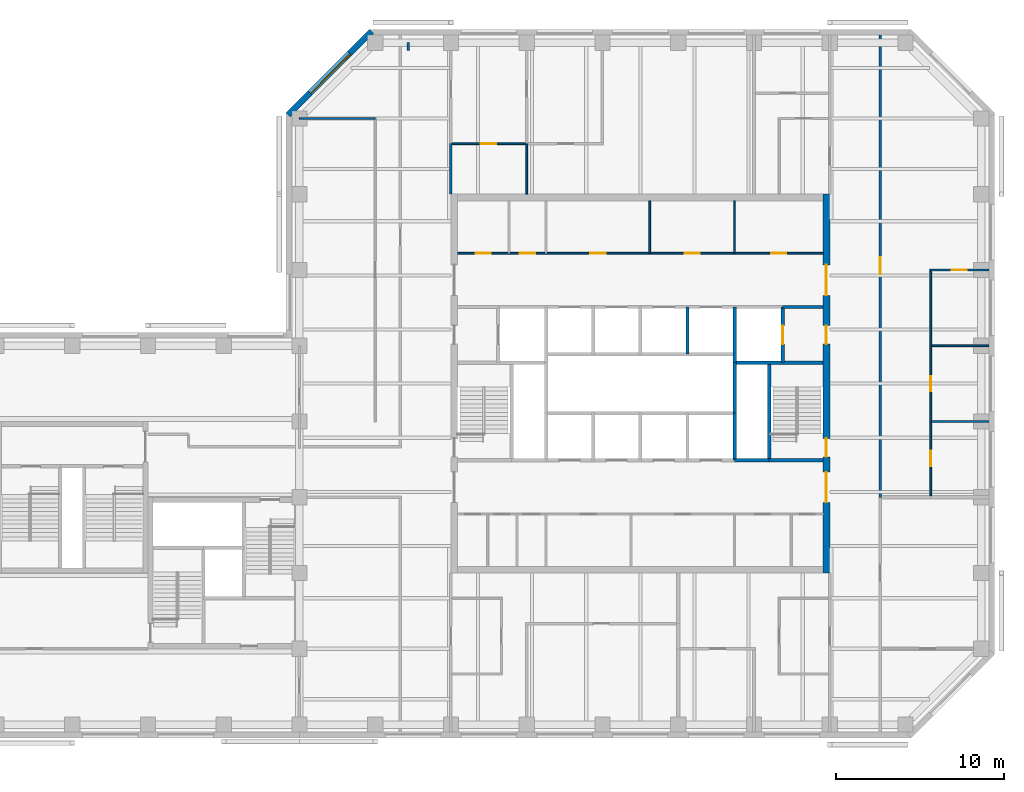
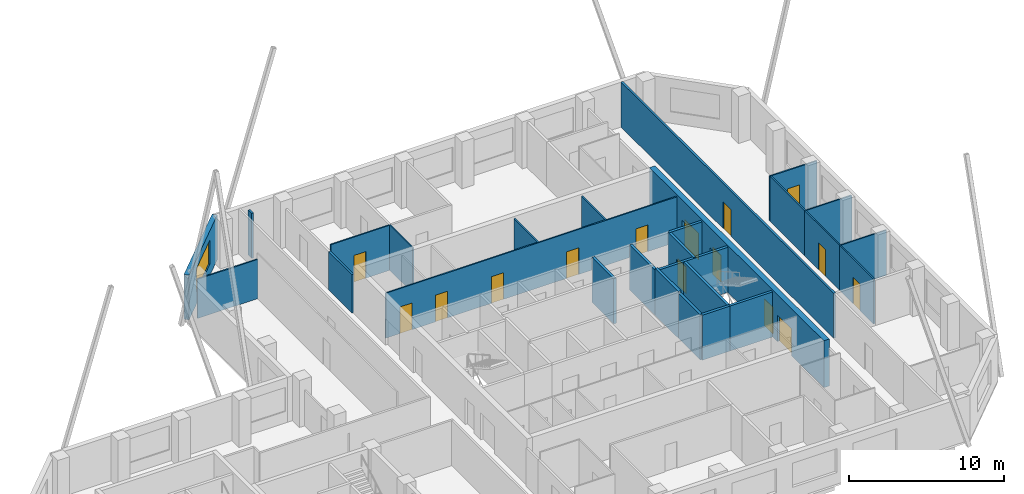
# One storey, part 6 of 9: 27 walls, 15 doors, 1 window, 16 openings.
"""IFC4 building model written with IfcOpenShell, lengths in metres."""

from ifc_helpers import new_model, si_unit, direction, frame, frame_2d, origin, place, context, subcontext, project, spatial, rectangle, extrude, material, layer, layer_set, constituent, constituent_set, type_object, element, fill, save


model = new_model("IFC4")

# Units and contexts
model_context = context("Model", 3, precision=1e-05, world=origin(), true_north=direction((0.0, 1.0)))
body_context = subcontext(model_context, "Body", "Model", "MODEL_VIEW")
ifc_project = project(units=[si_unit("LENGTHUNIT", "METRE"), si_unit("AREAUNIT", "SQUARE_METRE"), si_unit("VOLUMEUNIT", "CUBIC_METRE"), si_unit("PLANEANGLEUNIT", "RADIAN"), si_unit("MASSUNIT", "GRAM", prefix="KILO")], contexts=[model_context])

# Site, building, storey
site_placement = place(None, origin())
site = spatial("IfcSite", under=ifc_project, at=site_placement, CompositionType="ELEMENT")
building_placement = place(site_placement, origin())
building = spatial("IfcBuilding", under=site, at=building_placement, Name="Quoin Convention Tower", CompositionType="ELEMENT")
storey_placement = place(building_placement, frame((0.0, 0.0, 219.300048828125)))
storey = spatial("IfcBuildingStorey", under=building, at=storey_placement, Name="L57", CompositionType="ELEMENT", Elevation=219.300048828125)

# Wall, opening, window
ifc_material_1 = material(Name="Brick masonry", Category="masonry")
ifc_layer_1 = layer(ifc_material_1, 0.35009765625)
ifc_layer_set_1 = layer_set([ifc_layer_1], Name="Brick masonry")
wall_type_1 = type_object("IfcWallType", Name="Brick facade wall", PredefinedType="STANDARD", material=ifc_layer_set_1)
wall_1_placement = place(storey_placement, frame((40.29248046875, 81.67626953125, 0.0), z_axis=(0.0, 0.0, 1.0), x_axis=(-0.707106781187, -0.707106781187, 0.0)))
wall_1 = element("IfcWall", 1, at=wall_1_placement, inside=storey, type_object=wall_type_1, Name="fw-L57-40500_81000", PredefinedType="STANDARD", context=body_context, shape_type="SweptSolid", body=[
    extrude(rectangle(XDim=7.02685546875, YDim=0.35009765625, at=frame_2d((3.513427734375, 0.0))), origin(), (0.0, 0.0, 1.0), 3.52490234375),
])
opening_1_placement = place(wall_1_placement, frame((1.86328125, 0.0, 0.89990234375)))
opening_1 = element("IfcOpeningElement", 2, at=opening_1_placement, cuts=wall_1, Name="Opening W-02", PredefinedType="OPENING", context=body_context, shape_type="SweptSolid", body=[
    extrude(rectangle(XDim=3.300048828125, YDim=1.89990234375, at=frame_2d((1.64990234375, 0.949951171875))), frame((0.0, 0.18505859375, 0.0), z_axis=(0.0, -1.0, 0.0), x_axis=(1.0, 0.0, 0.0)), (0.0, 0.0, 1.0), 0.3701171875),
])
ifc_material_2 = material(Name="Aluminium", Category="aluminium")
ifc_constituent_1 = constituent(ifc_material_2, Name="Frame")
ifc_material_3 = material(Name="Insulated glass", Category="glass")
ifc_constituent_2 = constituent(ifc_material_3, Name="Glazing")
ifc_constituent_set = constituent_set(constituents=[ifc_constituent_1, ifc_constituent_2], Name="Aluminium")
window_type = type_object("IfcWindowType", Name="Office window", PartitioningType="DOUBLE_PANEL_VERTICAL", PredefinedType="WINDOW", material=ifc_constituent_set)
window_placement = place(opening_1_placement, origin())
window = element("IfcWindow", 3, at=window_placement, inside=storey, type_object=window_type, Name="win-L57-37808_79192", OverallHeight=1.89990234375, OverallWidth=3.300048828125, PartitioningType="SINGLE_PANEL", PredefinedType="WINDOW", context=body_context, shape_type="SweptSolid", body=[
    extrude(rectangle(XDim=3.300048828125, YDim=1.89990234375, at=frame_2d((1.64990234375, 0.949951171875))), frame((0.0, 0.0849609375, 0.0), z_axis=(0.0, -1.0, 0.0), x_axis=(1.0, 0.0, 0.0)), (0.0, 0.0, 1.0), 0.06005859375),
])
fill(opening_1, window)

# Wall, openings, doors
ifc_material_4 = material(Name="Plasterboard")
ifc_layer_2 = layer(ifc_material_4, 0.012451171875, Name="Finish")
ifc_material_5 = material(Name="Steel stud framing", Category="steel")
ifc_layer_3 = layer(ifc_material_5, 0.074951171875, Name="Structure")
ifc_layer_4 = layer(ifc_material_4, 0.012451171875, Name="Finish")
ifc_layer_set_2 = layer_set([ifc_layer_2, ifc_layer_3, ifc_layer_4], Name="Steel stud framing")
wall_type_2 = type_object("IfcWallType", Name="Core partition wall", PredefinedType="PARTITIONING", material=ifc_layer_set_2)
wall_2_placement = place(storey_placement, frame((45.39990234375, 68.5, 0.0), z_axis=(0.0, 0.0, 1.0), x_axis=(1.0, 0.0, 0.0)))
wall_2 = element("IfcWall", 4, at=wall_2_placement, inside=storey, type_object=wall_type_2, Name="cr-C1-L57-h19000_400", PredefinedType="PARTITIONING", context=body_context, shape_type="SweptSolid", body=[
    extrude(rectangle(XDim=21.7001953125, YDim=0.10009765625, at=frame_2d((10.85009765625, 0.0))), origin(), (0.0, 0.0, 1.0), 3.550048828125),
])
opening_2_placement = place(wall_2_placement, frame((18.625, 0.0, 0.0)))
opening_2 = element("IfcOpeningElement", 5, at=opening_2_placement, cuts=wall_2, Name="Opening DCV1-12", PredefinedType="OPENING", context=body_context, shape_type="SweptSolid", body=[
    extrude(rectangle(XDim=0.89990234375, YDim=2.10009765625, at=frame_2d((0.449951171875, 1.050048828125))), frame((0.0, 0.06005859375, 0.0), z_axis=(0.0, -1.0, 0.0), x_axis=(1.0, 0.0, 0.0)), (0.0, 0.0, 1.0), 0.1201171875),
])
opening_3_placement = place(wall_2_placement, frame((1.072509765625, 0.0, 0.0)))
opening_3 = element("IfcOpeningElement", 6, at=opening_3_placement, cuts=wall_2, Name="Opening DCV1-05", PredefinedType="OPENING", context=body_context, shape_type="SweptSolid", body=[
    extrude(rectangle(XDim=0.89990234375, YDim=2.10009765625, at=frame_2d((0.449951171875, 1.050048828125))), frame((0.0, 0.06005859375, 0.0), z_axis=(0.0, -1.0, 0.0), x_axis=(1.0, 0.0, 0.0)), (0.0, 0.0, 1.0), 0.1201171875),
])
opening_4_placement = place(wall_2_placement, frame((3.697509765625, 0.0, 0.0)))
opening_4 = element("IfcOpeningElement", 7, at=opening_4_placement, cuts=wall_2, Name="Opening DCV1-06", PredefinedType="OPENING", context=body_context, shape_type="SweptSolid", body=[
    extrude(rectangle(XDim=0.89990234375, YDim=2.10009765625, at=frame_2d((0.449951171875, 1.050048828125))), frame((0.0, 0.06005859375, 0.0), z_axis=(0.0, -1.0, 0.0), x_axis=(1.0, 0.0, 0.0)), (0.0, 0.0, 1.0), 0.1201171875),
])
opening_5_placement = place(wall_2_placement, frame((13.47998046875, 0.0, 0.0)))
opening_5 = element("IfcOpeningElement", 8, at=opening_5_placement, cuts=wall_2, Name="Opening DCV1-10", PredefinedType="OPENING", context=body_context, shape_type="SweptSolid", body=[
    extrude(rectangle(XDim=0.89990234375, YDim=2.10009765625, at=frame_2d((0.449951171875, 1.050048828125))), frame((0.0, 0.06005859375, 0.0), z_axis=(0.0, -1.0, 0.0), x_axis=(1.0, 0.0, 0.0)), (0.0, 0.0, 1.0), 0.1201171875),
])
opening_6_placement = place(wall_2_placement, frame((7.8798828125, 0.0, 0.0)))
opening_6 = element("IfcOpeningElement", 9, at=opening_6_placement, cuts=wall_2, Name="Opening DCV1-08", PredefinedType="OPENING", context=body_context, shape_type="SweptSolid", body=[
    extrude(rectangle(XDim=0.89990234375, YDim=2.10009765625, at=frame_2d((0.449951171875, 1.050048828125))), frame((0.0, 0.06005859375, 0.0), z_axis=(0.0, -1.0, 0.0), x_axis=(1.0, 0.0, 0.0)), (0.0, 0.0, 1.0), 0.1201171875),
])
ifc_material_6 = material(Name="Steel door leaf", Category="steel")
door_type_1 = type_object("IfcDoorType", Name="Core room door 900 x 2100", OperationType="SINGLE_SWING_LEFT", PredefinedType="DOOR", material=ifc_material_6)
door_1_placement = place(opening_2_placement, origin())
door_1 = element("IfcDoor", 10, at=door_1_placement, inside=storey, type_object=door_type_1, Name="cd-C1-L57-CNE0-lobB-CD5707", OperationType="SINGLE_SWING_LEFT", OverallHeight=2.10009765625, OverallWidth=0.89990234375, PredefinedType="DOOR", context=body_context, shape_type="SweptSolid", body=[
    extrude(rectangle(XDim=0.89990234375, YDim=2.10009765625, at=frame_2d((0.449951171875, 1.050048828125))), frame((0.0, 0.02490234375, 0.0), z_axis=(0.0, -1.0, 0.0), x_axis=(1.0, 0.0, 0.0)), (0.0, 0.0, 1.0), 0.050048828125),
])
fill(opening_2, door_1)
door_2_placement = place(opening_3_placement, origin())
door_2 = element("IfcDoor", 11, at=door_2_placement, inside=storey, type_object=door_type_1, Name="cd-C1-L57-CNW0-lobB-CD5708", OperationType="SINGLE_SWING_RIGHT", OverallHeight=2.10009765625, OverallWidth=0.89990234375, PredefinedType="DOOR", context=body_context, shape_type="SweptSolid", body=[
    extrude(rectangle(XDim=0.89990234375, YDim=2.10009765625, at=frame_2d((0.449951171875, 1.050048828125))), frame((0.0, 0.02490234375, 0.0), z_axis=(0.0, -1.0, 0.0), x_axis=(1.0, 0.0, 0.0)), (0.0, 0.0, 1.0), 0.050048828125),
])
fill(opening_3, door_2)
door_3_placement = place(opening_4_placement, origin())
door_3 = element("IfcDoor", 12, at=door_3_placement, inside=storey, type_object=door_type_1, Name="cd-C1-L57-CNW1-lobB-CD5709", OperationType="SINGLE_SWING_RIGHT", OverallHeight=2.10009765625, OverallWidth=0.89990234375, PredefinedType="DOOR", context=body_context, shape_type="SweptSolid", body=[
    extrude(rectangle(XDim=0.89990234375, YDim=2.10009765625, at=frame_2d((0.449951171875, 1.050048828125))), frame((0.0, 0.02490234375, 0.0), z_axis=(0.0, -1.0, 0.0), x_axis=(1.0, 0.0, 0.0)), (0.0, 0.0, 1.0), 0.050048828125),
])
fill(opening_4, door_3)
door_4_placement = place(opening_5_placement, origin())
door_4 = element("IfcDoor", 13, at=door_4_placement, inside=storey, type_object=door_type_1, Name="cd-C1-L57-F40-lobB-CD5717", OperationType="SINGLE_SWING_RIGHT", OverallHeight=2.10009765625, OverallWidth=0.89990234375, PredefinedType="DOOR", context=body_context, shape_type="SweptSolid", body=[
    extrude(rectangle(XDim=0.89990234375, YDim=2.10009765625, at=frame_2d((0.449951171875, 1.050048828125))), frame((0.0, 0.02490234375, 0.0), z_axis=(0.0, -1.0, 0.0), x_axis=(1.0, 0.0, 0.0)), (0.0, 0.0, 1.0), 0.050048828125),
])
fill(opening_5, door_4)
door_5_placement = place(opening_6_placement, origin())
door_5 = element("IfcDoor", 14, at=door_5_placement, inside=storey, type_object=door_type_1, Name="cd-C1-L57-F41-lobB-CD5718", OperationType="SINGLE_SWING_RIGHT", OverallHeight=2.10009765625, OverallWidth=0.89990234375, PredefinedType="DOOR", context=body_context, shape_type="SweptSolid", body=[
    extrude(rectangle(XDim=0.89990234375, YDim=2.10009765625, at=frame_2d((0.449951171875, 1.050048828125))), frame((0.0, 0.02490234375, 0.0), z_axis=(0.0, -1.0, 0.0), x_axis=(1.0, 0.0, 0.0)), (0.0, 0.0, 1.0), 0.050048828125),
])
fill(opening_6, door_5)

# Walls
for number, where, z_axis, x_axis, name in (
    (15, (56.81005859375, 68.5, 0.0), (0.0, 0.0, 1.0), (0.0, 1.0, 0.0), "cr-C1-L57-v11810_19000"),
    (16, (61.85009765625, 68.5, 0.0), (0.0, 0.0, 1.0), (0.0, 1.0, 0.0), "cr-C1-L57-v16850_19000"),
):
    element("IfcWall", number, at=place(storey_placement, frame(where, z_axis=z_axis, x_axis=x_axis)), inside=storey, type_object=wall_type_2, Name=name, PredefinedType="PARTITIONING", context=body_context, shape_type="SweptSolid", body=[
        extrude(rectangle(XDim=3.10009765625, YDim=0.10009765625, at=frame_2d((1.550048828125, 0.0))), origin(), (0.0, 0.0, 1.0), 3.550048828125),
    ])
ifc_material_7 = material(Name="Concrete C50", Category="concrete")
ifc_layer_5 = layer(ifc_material_7, 0.199951171875)
ifc_layer_set_3 = layer_set([ifc_layer_5], Name="Concrete C50")
wall_type_3 = type_object("IfcWallType", Name="Core shaft wall", PredefinedType="SOLIDWALL", material=ifc_layer_set_3)
wall_3_placement = place(storey_placement, frame((61.85009765625, 56.199951171875, 0.0), z_axis=(0.0, 0.0, 1.0), x_axis=(1.0, 0.0, 0.0)))
element("IfcWall", 17, at=wall_3_placement, inside=storey, type_object=wall_type_3, Name="cr-C1-L57-h6700_16850", PredefinedType="SOLIDWALL", context=body_context, shape_type="SweptSolid", body=[
    extrude(rectangle(XDim=2.0498046875, YDim=0.199951171875, at=frame_2d((1.02490234375, 0.0))), origin(), (0.0, 0.0, 1.0), 3.550048828125),
])
wall_4_placement = place(storey_placement, frame((63.89990234375, 56.199951171875, 0.0), z_axis=(0.0, 0.0, 1.0), x_axis=(1.0, 0.0, 0.0)))
element("IfcWall", 18, at=wall_4_placement, inside=storey, type_object=wall_type_3, Name="cr-C1-L57-h6700_18900", PredefinedType="SOLIDWALL", context=body_context, shape_type="SweptSolid", body=[
    extrude(rectangle(XDim=3.2001953125, YDim=0.199951171875, at=frame_2d((1.60009765625, 0.0))), origin(), (0.0, 0.0, 1.0), 3.550048828125),
])
wall_5_placement = place(storey_placement, frame((61.85009765625, 62.0, 0.0), z_axis=(0.0, 0.0, 1.0), x_axis=(1.0, 0.0, 0.0)))
element("IfcWall", 19, at=wall_5_placement, inside=storey, type_object=wall_type_3, Name="cr-C1-L57-h12500_16850", PredefinedType="SOLIDWALL", context=body_context, shape_type="SweptSolid", body=[
    extrude(rectangle(XDim=5.25, YDim=0.199951171875, at=frame_2d((2.625, 0.0))), origin(), (0.0, 0.0, 1.0), 3.550048828125),
])
wall_6_placement = place(storey_placement, frame((64.699951171875, 65.300048828125, 0.0), z_axis=(0.0, 0.0, 1.0), x_axis=(1.0, 0.0, 0.0)))
element("IfcWall", 20, at=wall_6_placement, inside=storey, type_object=wall_type_3, Name="cr-C1-L57-h15800_19700", PredefinedType="SOLIDWALL", context=body_context, shape_type="SweptSolid", body=[
    extrude(rectangle(XDim=2.400146484375, YDim=0.199951171875, at=frame_2d((1.2001953125, 0.0))), origin(), (0.0, 0.0, 1.0), 3.550048828125),
])
for number, where, z_axis, x_axis, name in (
    (21, (59.050048828125, 62.5, 0.0), (0.0, 0.0, 1.0), (0.0, 1.0, 0.0), "cr-C1-L57-v14050_13000"),
    (22, (61.85009765625, 56.199951171875, 0.0), (0.0, 0.0, 1.0), (0.0, 1.0, 0.0), "cr-C1-L57-v16850_6700"),
):
    element("IfcWall", number, at=place(storey_placement, frame(where, z_axis=z_axis, x_axis=x_axis)), inside=storey, type_object=wall_type_3, Name=name, PredefinedType="SOLIDWALL", context=body_context, shape_type="SweptSolid", body=[
        extrude(rectangle(XDim=2.800048828125, YDim=0.199951171875, at=frame_2d((1.39990234375, 0.0))), origin(), (0.0, 0.0, 1.0), 3.550048828125),
    ])
wall_7_placement = place(storey_placement, frame((61.85009765625, 62.0, 0.0), z_axis=(0.0, 0.0, 1.0), x_axis=(0.0, 1.0, 0.0)))
element("IfcWall", 23, at=wall_7_placement, inside=storey, type_object=wall_type_3, Name="cr-C1-L57-v16850_12500", PredefinedType="SOLIDWALL", context=body_context, shape_type="SweptSolid", body=[
    extrude(rectangle(XDim=3.300048828125, YDim=0.199951171875, at=frame_2d((1.64990234375, 0.0))), origin(), (0.0, 0.0, 1.0), 3.550048828125),
])
wall_8_placement = place(storey_placement, frame((63.89990234375, 56.199951171875, 0.0), z_axis=(0.0, 0.0, 1.0), x_axis=(0.0, 1.0, 0.0)))
element("IfcWall", 24, at=wall_8_placement, inside=storey, type_object=wall_type_3, Name="cr-C1-L57-v18900_6700", PredefinedType="SOLIDWALL", context=body_context, shape_type="SweptSolid", body=[
    extrude(rectangle(XDim=5.800048828125, YDim=0.199951171875, at=frame_2d((2.89990234375, 0.0))), origin(), (0.0, 0.0, 1.0), 3.550048828125),
])

# Wall, opening, door
wall_9_placement = place(storey_placement, frame((64.699951171875, 62.0, 0.0), z_axis=(0.0, 0.0, 1.0), x_axis=(0.0, 1.0, 0.0)))
wall_9 = element("IfcWall", 25, at=wall_9_placement, inside=storey, type_object=wall_type_3, Name="cr-C1-L57-v19700_12500", PredefinedType="SOLIDWALL", context=body_context, shape_type="SweptSolid", body=[
    extrude(rectangle(XDim=3.300048828125, YDim=0.199951171875, at=frame_2d((1.64990234375, 0.0))), origin(), (0.0, 0.0, 1.0), 3.550048828125),
])
opening_7_placement = place(wall_9_placement, frame((1.10009765625, 0.0, 0.0)))
opening_7 = element("IfcOpeningElement", 26, at=opening_7_placement, cuts=wall_9, Name="Opening LDFL2", PredefinedType="OPENING", context=body_context, shape_type="SweptSolid", body=[
    extrude(rectangle(XDim=1.10009765625, YDim=2.10009765625, at=frame_2d((0.550048828125, 1.050048828125))), frame((0.0, 0.10986328125, 0.0), z_axis=(0.0, -1.0, 0.0), x_axis=(1.0, 0.0, 0.0)), (0.0, 0.0, 1.0), 0.219970703125),
])
door_type_2 = type_object("IfcDoorType", Name="Lift landing door 1100 x 2100", OperationType="DOUBLE_DOOR_SLIDING", PredefinedType="DOOR", material=ifc_material_6)
door_6_placement = place(opening_7_placement, origin())
door_6 = element("IfcDoor", 27, at=door_6_placement, inside=storey, type_object=door_type_2, Name="cd-C1-L57-FLE-FFE-LDFL2", OperationType="DOUBLE_DOOR_SLIDING", OverallHeight=2.10009765625, OverallWidth=1.10009765625, PredefinedType="DOOR", context=body_context, shape_type="SweptSolid", body=[
    extrude(rectangle(XDim=1.10009765625, YDim=2.10009765625, at=frame_2d((0.550048828125, 1.050048828125))), frame((0.0, 0.02490234375, 0.0), z_axis=(0.0, -1.0, 0.0), x_axis=(1.0, 0.0, 0.0)), (0.0, 0.0, 1.0), 0.050048828125),
])
fill(opening_7, door_6)

# Wall
ifc_layer_6 = layer(ifc_material_7, 0.199951171875)
ifc_layer_set_4 = layer_set([ifc_layer_6], Name="Concrete C50")
wall_type_4 = type_object("IfcWallType", Name="Core shaft wall to the floor level over", PredefinedType="SOLIDWALL", material=ifc_layer_set_4)
wall_10_placement = place(storey_placement, frame((61.85009765625, 59.0, 0.0), z_axis=(0.0, 0.0, 1.0), x_axis=(0.0, 1.0, 0.0)))
element("IfcWall", 28, at=wall_10_placement, inside=storey, type_object=wall_type_4, Name="cr-C1-L57-v16850_9500", PredefinedType="SOLIDWALL", context=body_context, shape_type="SweptSolid", body=[
    extrude(rectangle(XDim=3.0, YDim=0.199951171875, at=frame_2d((1.5, 0.0))), origin(), (0.0, 0.0, 1.0), 3.699951171875),
])

# Wall, opening, door
ifc_layer_7 = layer(ifc_material_4, 0.012451171875, Name="Finish")
ifc_layer_8 = layer(ifc_material_5, 0.125, Name="Structure")
ifc_layer_9 = layer(ifc_material_4, 0.012451171875, Name="Finish")
ifc_layer_set_5 = layer_set([ifc_layer_7, ifc_layer_8, ifc_layer_9], Name="Steel stud framing")
wall_type_5 = type_object("IfcWallType", Name="Corridor wall 150", PredefinedType="PARTITIONING", material=ifc_layer_set_5)
wall_11_placement = place(storey_placement, frame((70.5, 54.0, 0.0), z_axis=(0.0, 0.0, 1.0), x_axis=(0.0, 1.0, 0.0)))
wall_11 = element("IfcWall", 29, at=wall_11_placement, inside=storey, type_object=wall_type_5, Name="pw-L57-048", PredefinedType="PARTITIONING", context=body_context, shape_type="SweptSolid", body=[
    extrude(rectangle(XDim=27.449951171875, YDim=0.14990234375, at=frame_2d((13.72509765625, 0.0))), origin(), (0.0, 0.0, 1.0), 3.550048828125),
])
opening_8_placement = place(wall_11_placement, frame((13.25, 0.0, 0.0)))
opening_8 = element("IfcOpeningElement", 30, at=opening_8_placement, cuts=wall_11, Name="Opening DOH9-15", PredefinedType="OPENING", context=body_context, shape_type="SweptSolid", body=[
    extrude(rectangle(XDim=1.0, YDim=2.10009765625, at=frame_2d((0.5, 1.050048828125))), frame((0.0, 0.0849609375, 0.0), z_axis=(0.0, -1.0, 0.0), x_axis=(1.0, 0.0, 0.0)), (0.0, 0.0, 1.0), 0.169921875),
])
door_type_3 = type_object("IfcDoorType", Name="Tenancy entrance door 1000 x 2100", OperationType="DOUBLE_DOOR_SINGLE_SWING", PredefinedType="DOOR", material=ifc_material_6)
door_7_placement = place(opening_8_placement, frame((1.0, 0.0, 0.0), z_axis=(0.0, 0.0, 1.0), x_axis=(-1.0, 0.0, 0.0)))
door_7 = element("IfcDoor", 31, at=door_7_placement, inside=storey, type_object=door_type_3, Name="dr-L57-22", OperationType="DOUBLE_DOOR_SINGLE_SWING", OverallHeight=2.10009765625, OverallWidth=1.0, PredefinedType="DOOR", context=body_context, shape_type="SweptSolid", body=[
    extrude(rectangle(XDim=1.0, YDim=2.10009765625, at=frame_2d((0.5, 1.050048828125))), frame((0.0, 0.02490234375, 0.0), z_axis=(0.0, -1.0, 0.0), x_axis=(1.0, 0.0, 0.0)), (0.0, 0.0, 1.0), 0.050048828125),
])
fill(opening_8, door_7)

# Walls
wall_12_placement = place(storey_placement, frame((42.469970703125, 80.550048828125, 0.0), z_axis=(0.0, 0.0, 1.0), x_axis=(0.0, 1.0, 0.0)))
element("IfcWall", 32, at=wall_12_placement, inside=storey, type_object=wall_type_5, Name="pw-L57-w06", PredefinedType="PARTITIONING", context=body_context, shape_type="SweptSolid", body=[
    extrude(rectangle(XDim=0.449951171875, YDim=0.14990234375, at=frame_2d((0.22509765625, 0.0))), origin(), (0.0, 0.0, 1.0), 3.550048828125),
])
ifc_layer_10 = layer(ifc_material_4, 0.012451171875, Name="Finish")
ifc_layer_11 = layer(ifc_material_5, 0.125, Name="Structure")
ifc_layer_12 = layer(ifc_material_4, 0.012451171875, Name="Finish")
ifc_layer_set_6 = layer_set([ifc_layer_10, ifc_layer_11, ifc_layer_12], Name="Steel stud framing")
wall_type_6 = type_object("IfcWallType", Name="Corridor wall 150 under beam 528", PredefinedType="PARTITIONING", material=ifc_layer_set_6)
wall_13_placement = place(storey_placement, frame((45.0, 72.0, 0.0), z_axis=(0.0, 0.0, 1.0), x_axis=(0.0, 1.0, 0.0)))
element("IfcWall", 33, at=wall_13_placement, inside=storey, type_object=wall_type_6, Name="pw-L57-055", PredefinedType="PARTITIONING", context=body_context, shape_type="SweptSolid", body=[
    extrude(rectangle(XDim=3.0, YDim=0.14990234375, at=frame_2d((1.5, 0.0))), origin(), (0.0, 0.0, 1.0), 3.02197265625),
])

# Wall, openings, doors
ifc_layer_13 = layer(ifc_material_7, 0.39990234375)
ifc_layer_set_7 = layer_set([ifc_layer_13], Name="Concrete C50")
wall_type_7 = type_object("IfcWallType", Name="RC CORE WALL 400 C50", PredefinedType="SHEAR", material=ifc_layer_set_7)
wall_14_placement = place(storey_placement, frame((67.300048828125, 49.5, 0.0), z_axis=(0.0, 0.0, 1.0), x_axis=(0.0, 1.0, 0.0)))
wall_14 = element("IfcWall", 34, at=wall_14_placement, inside=storey, type_object=wall_type_7, Name="cwl-C1-L57-E", PredefinedType="SHEAR", context=body_context, shape_type="SweptSolid", body=[
    extrude(rectangle(XDim=22.5, YDim=0.39990234375, at=frame_2d((11.25, 0.0))), origin(), (0.0, 0.0, 1.0), 3.699951171875),
])
opening_9_placement = place(wall_14_placement, frame((4.199951171875, 0.0, 0.0)))
opening_9 = element("IfcOpeningElement", 35, at=opening_9_placement, cuts=wall_14, Name="Opening DCV1-47", PredefinedType="OPENING", context=body_context, shape_type="SweptSolid", body=[
    extrude(rectangle(XDim=1.800048828125, YDim=2.10009765625, at=frame_2d((0.89990234375, 1.050048828125))), frame((0.0, 0.2099609375, 0.0), z_axis=(0.0, -1.0, 0.0), x_axis=(1.0, 0.0, 0.0)), (0.0, 0.0, 1.0), 0.419921875),
])
opening_10_placement = place(wall_14_placement, frame((6.89990234375, 0.0, 0.0)))
opening_10 = element("IfcOpeningElement", 36, at=opening_10_placement, cuts=wall_14, Name="Opening SD2", PredefinedType="OPENING", context=body_context, shape_type="SweptSolid", body=[
    extrude(rectangle(XDim=1.10009765625, YDim=2.10009765625, at=frame_2d((0.550048828125, 1.050048828125))), frame((0.0, 0.2099609375, 0.0), z_axis=(0.0, -1.0, 0.0), x_axis=(1.0, 0.0, 0.0)), (0.0, 0.0, 1.0), 0.419921875),
])
opening_11_placement = place(wall_14_placement, frame((13.60009765625, 0.0, 0.0)))
opening_11 = element("IfcOpeningElement", 37, at=opening_11_placement, cuts=wall_14, Name="Opening DCV1-46", PredefinedType="OPENING", context=body_context, shape_type="SweptSolid", body=[
    extrude(rectangle(XDim=1.10009765625, YDim=2.10009765625, at=frame_2d((0.550048828125, 1.050048828125))), frame((0.0, 0.2099609375, 0.0), z_axis=(0.0, -1.0, 0.0), x_axis=(1.0, 0.0, 0.0)), (0.0, 0.0, 1.0), 0.419921875),
])
opening_12_placement = place(wall_14_placement, frame((16.5, 0.0, 0.0)))
opening_12 = element("IfcOpeningElement", 38, at=opening_12_placement, cuts=wall_14, Name="Opening DCV1-47", PredefinedType="OPENING", context=body_context, shape_type="SweptSolid", body=[
    extrude(rectangle(XDim=1.800048828125, YDim=2.10009765625, at=frame_2d((0.89990234375, 1.050048828125))), frame((0.0, 0.2099609375, 0.0), z_axis=(0.0, -1.0, 0.0), x_axis=(1.0, 0.0, 0.0)), (0.0, 0.0, 1.0), 0.419921875),
])
door_type_4 = type_object("IfcDoorType", Name="Fire-fighting lobby door 1100 x 2100", OperationType="SINGLE_SWING_LEFT", PredefinedType="DOOR", material=ifc_material_6)
door_8_placement = place(opening_11_placement, origin())
door_8 = element("IfcDoor", 39, at=door_8_placement, inside=storey, type_object=door_type_4, Name="cd-C1-L57-FFE-E", OperationType="SINGLE_SWING_RIGHT", OverallHeight=2.10009765625, OverallWidth=1.10009765625, PredefinedType="DOOR", context=body_context, shape_type="SweptSolid", body=[
    extrude(rectangle(XDim=1.10009765625, YDim=2.10009765625, at=frame_2d((0.550048828125, 1.050048828125))), frame((0.0, 0.02490234375, 0.0), z_axis=(0.0, -1.0, 0.0), x_axis=(1.0, 0.0, 0.0)), (0.0, 0.0, 1.0), 0.050048828125),
])
fill(opening_11, door_8)
door_type_5 = type_object("IfcDoorType", Name="Lift lobby door 1800 x 2100", OperationType="SINGLE_SWING_LEFT", PredefinedType="DOOR", material=ifc_material_6)
door_9_placement = place(opening_9_placement, origin())
door_9 = element("IfcDoor", 40, at=door_9_placement, inside=storey, type_object=door_type_5, Name="cd-C1-L57-lobA-E", OperationType="SINGLE_SWING_RIGHT", OverallHeight=2.10009765625, OverallWidth=1.800048828125, PredefinedType="DOOR", context=body_context, shape_type="SweptSolid", body=[
    extrude(rectangle(XDim=1.800048828125, YDim=2.10009765625, at=frame_2d((0.89990234375, 1.050048828125))), frame((0.0, 0.02490234375, 0.0), z_axis=(0.0, -1.0, 0.0), x_axis=(1.0, 0.0, 0.0)), (0.0, 0.0, 1.0), 0.050048828125),
])
fill(opening_9, door_9)
door_10_placement = place(opening_12_placement, origin())
door_10 = element("IfcDoor", 41, at=door_10_placement, inside=storey, type_object=door_type_5, Name="cd-C1-L57-lobB-E", OperationType="SINGLE_SWING_RIGHT", OverallHeight=2.10009765625, OverallWidth=1.800048828125, PredefinedType="DOOR", context=body_context, shape_type="SweptSolid", body=[
    extrude(rectangle(XDim=1.800048828125, YDim=2.10009765625, at=frame_2d((0.89990234375, 1.050048828125))), frame((0.0, 0.02490234375, 0.0), z_axis=(0.0, -1.0, 0.0), x_axis=(1.0, 0.0, 0.0)), (0.0, 0.0, 1.0), 0.050048828125),
])
fill(opening_12, door_10)
door_type_6 = type_object("IfcDoorType", Name="Stair door 1100 x 2100", OperationType="SINGLE_SWING_RIGHT", PredefinedType="DOOR", material=ifc_material_6)
door_11_placement = place(opening_10_placement, origin())
door_11 = element("IfcDoor", 42, at=door_11_placement, inside=storey, type_object=door_type_6, Name="cd-C1-L57-STE-E", OperationType="SINGLE_SWING_LEFT", OverallHeight=2.10009765625, OverallWidth=1.10009765625, PredefinedType="DOOR", context=body_context, shape_type="SweptSolid", body=[
    extrude(rectangle(XDim=1.10009765625, YDim=2.10009765625, at=frame_2d((0.550048828125, 1.050048828125))), frame((0.0, 0.02490234375, 0.0), z_axis=(0.0, -1.0, 0.0), x_axis=(1.0, 0.0, 0.0)), (0.0, 0.0, 1.0), 0.050048828125),
])
fill(opening_10, door_11)

# Walls
ifc_layer_14 = layer(ifc_material_4, 0.012451171875, Name="Finish")
ifc_layer_15 = layer(ifc_material_5, 0.074951171875, Name="Structure")
ifc_layer_16 = layer(ifc_material_4, 0.012451171875, Name="Finish")
ifc_layer_set_8 = layer_set([ifc_layer_14, ifc_layer_15, ifc_layer_16], Name="Steel stud framing")
wall_type_8 = type_object("IfcWallType", Name="Stud partition 100", PredefinedType="PARTITIONING", material=ifc_layer_set_8)
for number, where, z_axis, x_axis, name in (
    (43, (73.550048828125, 58.5, 0.0), (0.0, 0.0, 1.0), (1.0, 0.0, 0.0), "pw-L57-017"),
    (44, (73.550048828125, 63.0, 0.0), (0.0, 0.0, 1.0), (1.0, 0.0, 0.0), "pw-L57-019"),
):
    element("IfcWall", number, at=place(storey_placement, frame(where, z_axis=z_axis, x_axis=x_axis)), inside=storey, type_object=wall_type_8, Name=name, PredefinedType="PARTITIONING", context=body_context, shape_type="SweptSolid", body=[
        extrude(rectangle(XDim=3.39990234375, YDim=0.10009765625, at=frame_2d((1.699951171875, 0.0))), origin(), (0.0, 0.0, 1.0), 3.550048828125),
    ])

# Wall, opening, door
wall_15_placement = place(storey_placement, frame((73.449951171875, 67.5, 0.0), z_axis=(0.0, 0.0, 1.0), x_axis=(1.0, 0.0, 0.0)))
wall_15 = element("IfcWall", 45, at=wall_15_placement, inside=storey, type_object=wall_type_8, Name="pw-L57-020", PredefinedType="PARTITIONING", context=body_context, shape_type="SweptSolid", body=[
    extrude(rectangle(XDim=3.5, YDim=0.10009765625, at=frame_2d((1.75, 0.0))), origin(), (0.0, 0.0, 1.0), 3.550048828125),
])
opening_13_placement = place(wall_15_placement, frame((1.300048828125, 0.0, 0.0)))
opening_13 = element("IfcOpeningElement", 46, at=opening_13_placement, cuts=wall_15, Name="Opening DOH9-04", PredefinedType="OPENING", context=body_context, shape_type="SweptSolid", body=[
    extrude(rectangle(XDim=0.89990234375, YDim=2.10009765625, at=frame_2d((0.449951171875, 1.050048828125))), frame((0.0, 0.06005859375, 0.0), z_axis=(0.0, -1.0, 0.0), x_axis=(1.0, 0.0, 0.0)), (0.0, 0.0, 1.0), 0.1201171875),
])
door_type_7 = type_object("IfcDoorType", Name="Office door 900 x 2100", OperationType="SINGLE_SWING_RIGHT", PredefinedType="DOOR", material=ifc_material_6)
door_12_placement = place(opening_13_placement, origin())
door_12 = element("IfcDoor", 47, at=door_12_placement, inside=storey, type_object=door_type_7, Name="dr-L57-25", OperationType="SINGLE_SWING_RIGHT", OverallHeight=2.10009765625, OverallWidth=0.89990234375, PredefinedType="DOOR", context=body_context, shape_type="SweptSolid", body=[
    extrude(rectangle(XDim=0.89990234375, YDim=2.10009765625, at=frame_2d((0.449951171875, 1.050048828125))), frame((0.0, 0.02490234375, 0.0), z_axis=(0.0, -1.0, 0.0), x_axis=(1.0, 0.0, 0.0)), (0.0, 0.0, 1.0), 0.050048828125),
])
fill(opening_13, door_12)

wall_16_placement = place(storey_placement, frame((45.074951171875, 75.0, 0.0), z_axis=(0.0, 0.0, 1.0), x_axis=(1.0, 0.0, 0.0)))
wall_16 = element("IfcWall", 48, at=wall_16_placement, inside=storey, type_object=wall_type_8, Name="pw-L57-021", PredefinedType="PARTITIONING", context=body_context, shape_type="SweptSolid", body=[
    extrude(rectangle(XDim=4.35009765625, YDim=0.10009765625, at=frame_2d((2.175048828125, 0.0))), origin(), (0.0, 0.0, 1.0), 3.550048828125),
])
opening_14_placement = place(wall_16_placement, frame((1.699951171875, 0.0, 0.0)))
opening_14 = element("IfcOpeningElement", 49, at=opening_14_placement, cuts=wall_16, Name="Opening DOH9-05", PredefinedType="OPENING", context=body_context, shape_type="SweptSolid", body=[
    extrude(rectangle(XDim=0.89990234375, YDim=2.10009765625, at=frame_2d((0.449951171875, 1.050048828125))), frame((0.0, 0.06005859375, 0.0), z_axis=(0.0, -1.0, 0.0), x_axis=(1.0, 0.0, 0.0)), (0.0, 0.0, 1.0), 0.1201171875),
])
door_13_placement = place(opening_14_placement, frame((0.89990234375, 0.0, 0.0), z_axis=(0.0, 0.0, 1.0), x_axis=(-1.0, 0.0, 0.0)))
door_13 = element("IfcDoor", 50, at=door_13_placement, inside=storey, type_object=door_type_7, Name="dr-L57-15", OperationType="SINGLE_SWING_LEFT", OverallHeight=2.10009765625, OverallWidth=0.89990234375, PredefinedType="DOOR", context=body_context, shape_type="SweptSolid", body=[
    extrude(rectangle(XDim=0.89990234375, YDim=2.10009765625, at=frame_2d((0.449951171875, 1.050048828125))), frame((0.0, 0.02490234375, 0.0), z_axis=(0.0, -1.0, 0.0), x_axis=(1.0, 0.0, 0.0)), (0.0, 0.0, 1.0), 0.050048828125),
])
fill(opening_14, door_13)

wall_17_placement = place(storey_placement, frame((73.5, 54.10009765625, 0.0), z_axis=(0.0, 0.0, 1.0), x_axis=(0.0, 1.0, 0.0)))
wall_17 = element("IfcWall", 51, at=wall_17_placement, inside=storey, type_object=wall_type_8, Name="pw-L57-049", PredefinedType="PARTITIONING", context=body_context, shape_type="SweptSolid", body=[
    extrude(rectangle(XDim=4.39990234375, YDim=0.10009765625, at=frame_2d((2.199951171875, 0.0))), origin(), (0.0, 0.0, 1.0), 3.550048828125),
])
opening_15_placement = place(wall_17_placement, frame((1.75, 0.0, 0.0)))
opening_15 = element("IfcOpeningElement", 52, at=opening_15_placement, cuts=wall_17, Name="Opening DOH9-16", PredefinedType="OPENING", context=body_context, shape_type="SweptSolid", body=[
    extrude(rectangle(XDim=0.89990234375, YDim=2.10009765625, at=frame_2d((0.449951171875, 1.050048828125))), frame((0.0, 0.06005859375, 0.0), z_axis=(0.0, -1.0, 0.0), x_axis=(1.0, 0.0, 0.0)), (0.0, 0.0, 1.0), 0.1201171875),
])
door_14_placement = place(opening_15_placement, origin())
door_14 = element("IfcDoor", 53, at=door_14_placement, inside=storey, type_object=door_type_7, Name="dr-L57-23", OperationType="SINGLE_SWING_RIGHT", OverallHeight=2.10009765625, OverallWidth=0.89990234375, PredefinedType="DOOR", context=body_context, shape_type="SweptSolid", body=[
    extrude(rectangle(XDim=0.89990234375, YDim=2.10009765625, at=frame_2d((0.449951171875, 1.050048828125))), frame((0.0, 0.02490234375, 0.0), z_axis=(0.0, -1.0, 0.0), x_axis=(1.0, 0.0, 0.0)), (0.0, 0.0, 1.0), 0.050048828125),
])
fill(opening_15, door_14)

wall_18_placement = place(storey_placement, frame((73.5, 58.5, 0.0), z_axis=(0.0, 0.0, 1.0), x_axis=(0.0, 1.0, 0.0)))
wall_18 = element("IfcWall", 54, at=wall_18_placement, inside=storey, type_object=wall_type_8, Name="pw-L57-051", PredefinedType="PARTITIONING", context=body_context, shape_type="SweptSolid", body=[
    extrude(rectangle(XDim=4.5, YDim=0.10009765625, at=frame_2d((2.25, 0.0))), origin(), (0.0, 0.0, 1.0), 3.550048828125),
])
opening_16_placement = place(wall_18_placement, frame((1.800048828125, 0.0, 0.0)))
opening_16 = element("IfcOpeningElement", 55, at=opening_16_placement, cuts=wall_18, Name="Opening DOH9-18", PredefinedType="OPENING", context=body_context, shape_type="SweptSolid", body=[
    extrude(rectangle(XDim=0.89990234375, YDim=2.10009765625, at=frame_2d((0.449951171875, 1.050048828125))), frame((0.0, 0.06005859375, 0.0), z_axis=(0.0, -1.0, 0.0), x_axis=(1.0, 0.0, 0.0)), (0.0, 0.0, 1.0), 0.1201171875),
])
door_15_placement = place(opening_16_placement, origin())
door_15 = element("IfcDoor", 56, at=door_15_placement, inside=storey, type_object=door_type_7, Name="dr-L57-24", OperationType="SINGLE_SWING_RIGHT", OverallHeight=2.10009765625, OverallWidth=0.89990234375, PredefinedType="DOOR", context=body_context, shape_type="SweptSolid", body=[
    extrude(rectangle(XDim=0.89990234375, YDim=2.10009765625, at=frame_2d((0.449951171875, 1.050048828125))), frame((0.0, 0.02490234375, 0.0), z_axis=(0.0, -1.0, 0.0), x_axis=(1.0, 0.0, 0.0)), (0.0, 0.0, 1.0), 0.050048828125),
])
fill(opening_16, door_15)

# Walls
wall_19_placement = place(storey_placement, frame((73.5, 63.0, 0.0), z_axis=(0.0, 0.0, 1.0), x_axis=(0.0, 1.0, 0.0)))
element("IfcWall", 57, at=wall_19_placement, inside=storey, type_object=wall_type_8, Name="pw-L57-054", PredefinedType="PARTITIONING", context=body_context, shape_type="SweptSolid", body=[
    extrude(rectangle(XDim=4.449951171875, YDim=0.10009765625, at=frame_2d((2.22509765625, 0.0))), origin(), (0.0, 0.0, 1.0), 3.550048828125),
])
wall_20_placement = place(storey_placement, frame((49.5, 72.0, 0.0), z_axis=(0.0, 0.0, 1.0), x_axis=(0.0, 1.0, 0.0)))
element("IfcWall", 58, at=wall_20_placement, inside=storey, type_object=wall_type_8, Name="pw-L57-056", PredefinedType="PARTITIONING", context=body_context, shape_type="SweptSolid", body=[
    extrude(rectangle(XDim=3.0, YDim=0.10009765625, at=frame_2d((1.5, 0.0))), origin(), (0.0, 0.0, 1.0), 3.550048828125),
])
ifc_layer_17 = layer(ifc_material_4, 0.012451171875, Name="Finish")
ifc_layer_18 = layer(ifc_material_5, 0.074951171875, Name="Structure")
ifc_layer_19 = layer(ifc_material_4, 0.012451171875, Name="Finish")
ifc_layer_set_9 = layer_set([ifc_layer_17, ifc_layer_18, ifc_layer_19], Name="Steel stud framing")
wall_type_9 = type_object("IfcWallType", Name="Stud partition 100 under beam 454", PredefinedType="PARTITIONING", material=ifc_layer_set_9)
wall_21_placement = place(storey_placement, frame((36.0, 76.5, 0.0), z_axis=(0.0, 0.0, 1.0), x_axis=(1.0, 0.0, 0.0)))
element("IfcWall", 59, at=wall_21_placement, inside=storey, type_object=wall_type_9, Name="pw-L57-w01", PredefinedType="PARTITIONING", context=body_context, shape_type="SweptSolid", body=[
    extrude(rectangle(XDim=4.5, YDim=0.10009765625, at=frame_2d((2.25, 0.0))), origin(), (0.0, 0.0, 1.0), 3.095947265625),
])

save(model, "model.ifc")
